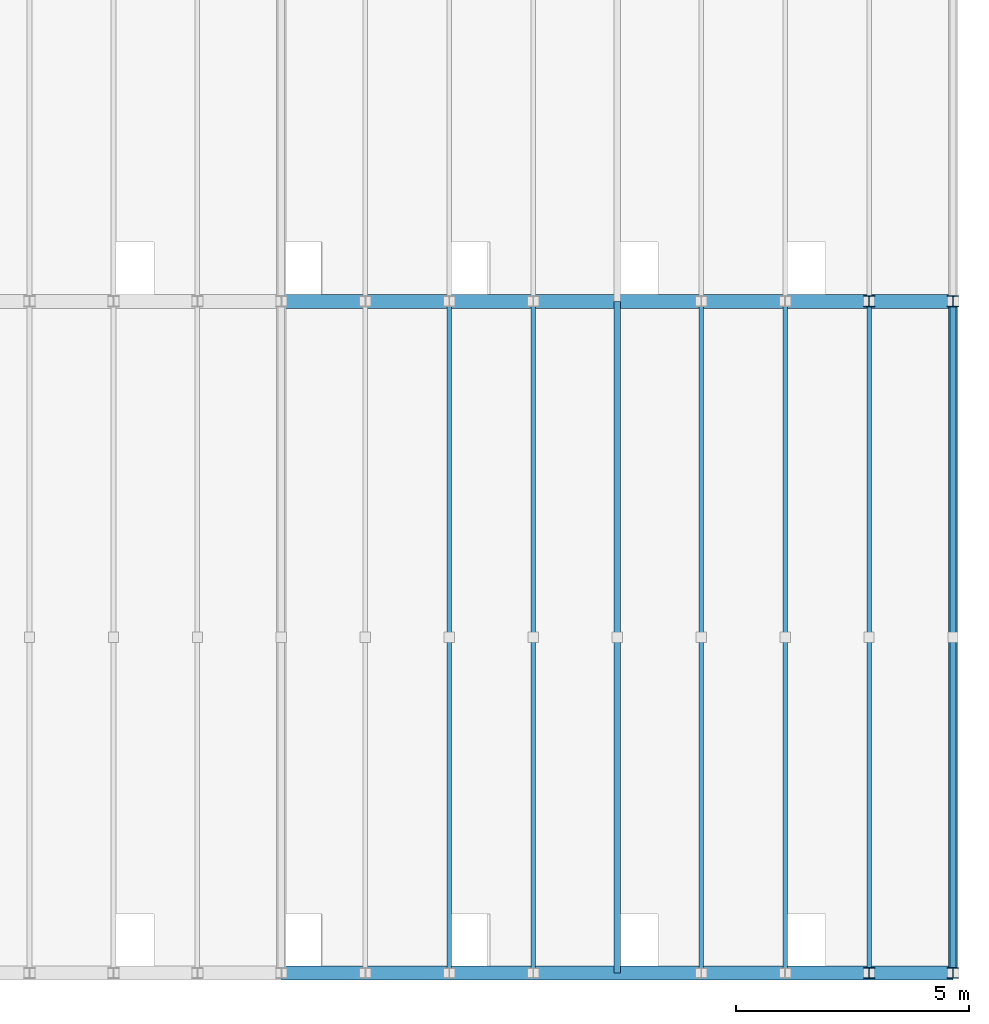
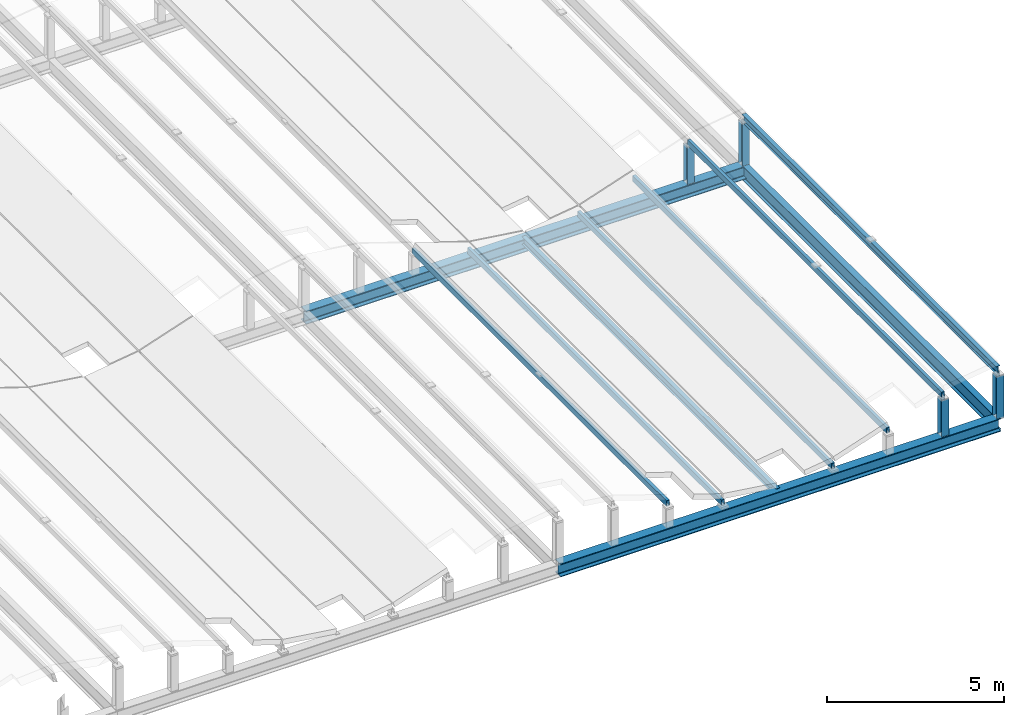
# One storey, part 30 of 83: 11 members, 3 beams.
"""IFC4 building model written with IfcOpenShell, lengths in metres."""

from ifc_helpers import new_model, si_unit, direction, frame, origin, origin_2d, place, context, subcontext, project, spatial, hollow_rectangle, i_section, extrude, material, material_profile, profile_set, type_object, element, save


model = new_model("IFC4")

# Units and contexts
model_context = context("Model", 3, precision=1e-05, world=origin(), true_north=direction((0.0, 1.0)))
body_context = subcontext(model_context, "Body", "Model", "MODEL_VIEW")
ifc_project = project(units=[si_unit("LENGTHUNIT", "METRE"), si_unit("AREAUNIT", "SQUARE_METRE"), si_unit("VOLUMEUNIT", "CUBIC_METRE"), si_unit("PLANEANGLEUNIT", "RADIAN"), si_unit("MASSUNIT", "GRAM", prefix="KILO")], contexts=[model_context])

# Site, building, storey
site_placement = place(None, origin())
site = spatial("IfcSite", under=ifc_project, at=site_placement, CompositionType="ELEMENT")
building_placement = place(site_placement, origin())
building = spatial("IfcBuilding", under=site, at=building_placement, Name="Leyfeld Transit Interchange", CompositionType="ELEMENT")
storey_placement = place(building_placement, frame((0.0, 0.0, 5.39990234375)))
storey = spatial("IfcBuildingStorey", under=building, at=storey_placement, Name="L01", CompositionType="ELEMENT", Elevation=5.39990234375)

# Beams
ifc_material = material(Name="Steel S355J2", Category="steel")
ifc_material_profile_1 = material_profile(ifc_material, i_section(OverallWidth=0.300048828125, OverallDepth=0.449951171875, WebThickness=0.013916015625, FlangeThickness=0.02587890625, FilletRadius=0.027099609375, at=origin_2d()), Name="HEB 450")
ifc_profile_set_1 = profile_set([ifc_material_profile_1], Name="Steel S355J2")
beam_type_1 = type_object("IfcBeamType", Name="BM-STL-HEB450", PredefinedType="JOIST", material=ifc_profile_set_1)
for number, where, z_axis, x_axis, name in (
    (1, (172.800048828125, 0.0, 0.675048828125), (1.0, 0.0, 0.0), (0.0, 1.0, 0.0), "Bus Canopy Longitudinal Girder R1 B6"),
    (2, (172.800048828125, 14.39990234375, 0.675048828125), (1.0, 0.0, 0.0), (0.0, 1.0, 0.0), "Bus Canopy Longitudinal Girder R2 B6"),
):
    element("IfcBeam", number, at=place(storey_placement, frame(where, z_axis=z_axis, x_axis=x_axis)), inside=storey, type_object=beam_type_1, Name=name, PredefinedType="JOIST", context=body_context, shape_type="SweptSolid", body=[
        extrude(i_section(OverallWidth=0.300048828125, OverallDepth=0.449951171875, WebThickness=0.013916015625, FlangeThickness=0.02587890625, FilletRadius=0.027099609375, at=origin_2d()), origin(), (0.0, 0.0, 1.0), 14.39990234375),
    ])
ifc_material_profile_2 = material_profile(ifc_material, i_section(OverallWidth=0.199951171875, OverallDepth=0.5, WebThickness=0.01025390625, FlangeThickness=0.01611328125, FilletRadius=0.02099609375, at=origin_2d()), Name="IPE 500")
ifc_profile_set_2 = profile_set([ifc_material_profile_2], Name="Steel S355J2")
beam_type_2 = type_object("IfcBeamType", Name="BM-STL-IPE500", PredefinedType="BEAM", material=ifc_profile_set_2)
beam_placement = place(storey_placement, frame((187.199951171875, 0.0, 0.650146484375), z_axis=(0.0, 1.0, 0.0), x_axis=(-1.0, 0.0, 0.0)))
element("IfcBeam", 3, at=beam_placement, inside=storey, type_object=beam_type_2, Name="Bus Canopy Transverse Portal Girder B7 R1", PredefinedType="BEAM", context=body_context, shape_type="SweptSolid", body=[
    extrude(i_section(OverallWidth=0.199951171875, OverallDepth=0.5, WebThickness=0.01025390625, FlangeThickness=0.01611328125, FilletRadius=0.02099609375, at=origin_2d()), origin(), (0.0, 0.0, 1.0), 14.39990234375),
])

# Members
ifc_material_profile_3 = material_profile(ifc_material, i_section(OverallWidth=0.239990234375, OverallDepth=0.22998046875, WebThickness=0.007568359375, FlangeThickness=0.011962890625, FilletRadius=0.02099609375, at=origin_2d()), Name="HEA 240")
ifc_profile_set_3 = profile_set([ifc_material_profile_3], Name="Steel S355J2")
member_type_1 = type_object("IfcMemberType", Name="MEM-CHD-HEA240", PredefinedType="CHORD", material=ifc_profile_set_3)
member_1_placement = place(storey_placement, frame((185.39990234375, 0.0, 0.860107421875), z_axis=(0.0, 0.0, 1.0), x_axis=(1.0, 0.0, 0.0)))
element("IfcMember", 4, at=member_1_placement, inside=storey, type_object=member_type_1, Name="Wave Canopy Riser Post 307", PredefinedType="CHORD", context=body_context, shape_type="SweptSolid", body=[
    extrude(i_section(OverallWidth=0.239990234375, OverallDepth=0.22998046875, WebThickness=0.007568359375, FlangeThickness=0.011962890625, FilletRadius=0.02099609375, at=origin_2d()), origin(), (0.0, 0.0, 1.0), 1.2998046875),
])
member_2_placement = place(storey_placement, frame((185.39990234375, 14.39990234375, 0.860107421875), z_axis=(0.0, 0.0, 1.0), x_axis=(1.0, 0.0, 0.0)))
element("IfcMember", 5, at=member_2_placement, inside=storey, type_object=member_type_1, Name="Wave Canopy Riser Post 309", PredefinedType="CHORD", context=body_context, shape_type="SweptSolid", body=[
    extrude(i_section(OverallWidth=0.239990234375, OverallDepth=0.22998046875, WebThickness=0.007568359375, FlangeThickness=0.011962890625, FilletRadius=0.02099609375, at=origin_2d()), origin(), (0.0, 0.0, 1.0), 1.3154296875),
])
member_3_placement = place(storey_placement, frame((187.199951171875, 0.0, 0.860107421875), z_axis=(0.0, 0.0, 1.0), x_axis=(1.0, 0.0, 0.0)))
element("IfcMember", 6, at=member_3_placement, inside=storey, type_object=member_type_1, Name="Wave Canopy Riser Post 314", PredefinedType="CHORD", context=body_context, shape_type="SweptSolid", body=[
    extrude(i_section(OverallWidth=0.239990234375, OverallDepth=0.22998046875, WebThickness=0.007568359375, FlangeThickness=0.011962890625, FilletRadius=0.02099609375, at=origin_2d()), origin(), (0.0, 0.0, 1.0), 1.488037109375),
])
member_4_placement = place(storey_placement, frame((187.199951171875, 14.39990234375, 0.860107421875), z_axis=(0.0, 0.0, 1.0), x_axis=(1.0, 0.0, 0.0)))
element("IfcMember", 7, at=member_4_placement, inside=storey, type_object=member_type_1, Name="Wave Canopy Riser Post 316", PredefinedType="CHORD", context=body_context, shape_type="SweptSolid", body=[
    extrude(i_section(OverallWidth=0.239990234375, OverallDepth=0.22998046875, WebThickness=0.007568359375, FlangeThickness=0.011962890625, FilletRadius=0.02099609375, at=origin_2d()), origin(), (0.0, 0.0, 1.0), 1.503173828125),
])
ifc_material_profile_4 = material_profile(ifc_material, i_section(OverallWidth=0.135009765625, OverallDepth=0.27001953125, WebThickness=0.006591796875, FlangeThickness=0.01025390625, FilletRadius=0.014892578125, at=origin_2d()), Name="IPE 270")
ifc_profile_set_4 = profile_set([ifc_material_profile_4], Name="Steel S355J2")
member_type_2 = type_object("IfcMemberType", Name="MEM-PUR-IPE270", PredefinedType="PURLIN", material=ifc_profile_set_4)
for number, where, z_axis, x_axis, name in (
    (8, (180.0, 0.0, 0.777587890625), (0.0, 1.0, 0.0), (-1.0, 0.0, 0.0), "Bus Canopy Purlin 289"),
    (9, (187.199951171875, 0.0, 2.483154296875), (0.0, 1.0, 0.0), (-1.0, 0.0, 0.0), "Bus Canopy Purlin 313"),
):
    element("IfcMember", number, at=place(storey_placement, frame(where, z_axis=z_axis, x_axis=x_axis)), inside=storey, type_object=member_type_2, Name=name, PredefinedType="PURLIN", context=body_context, shape_type="SweptSolid", body=[
        extrude(i_section(OverallWidth=0.135009765625, OverallDepth=0.27001953125, WebThickness=0.006591796875, FlangeThickness=0.01025390625, FilletRadius=0.014892578125, at=origin_2d()), origin(), (0.0, 0.0, 1.0), 14.39990234375),
    ])
ifc_material_profile_5 = material_profile(ifc_material, hollow_rectangle(XDim=0.10009765625, YDim=0.199951171875, WallThickness=0.008056640625, at=origin_2d()), Name="RHS 200x100x8")
ifc_profile_set_5 = profile_set([ifc_material_profile_5], Name="Steel S355J2")
member_type_3 = type_object("IfcMemberType", Name="MEM-PUR-RHS200", PredefinedType="PURLIN", material=ifc_profile_set_5)
for number, where, z_axis, x_axis, name in (
    (10, (176.39990234375, 0.0, 1.656494140625), (0.0, 1.0, 0.0), (-1.0, 0.0, 0.0), "Bus Canopy Purlin 275"),
    (11, (178.199951171875, 0.0, 1.0546875), (0.0, 1.0, 0.0), (-1.0, 0.0, 0.0), "Bus Canopy Purlin 282"),
    (12, (181.800048828125, 0.0, 1.0546875), (0.0, 1.0, 0.0), (-1.0, 0.0, 0.0), "Bus Canopy Purlin 292"),
    (13, (183.60009765625, 0.0, 1.656494140625), (0.0, 1.0, 0.0), (-1.0, 0.0, 0.0), "Bus Canopy Purlin 299"),
    (14, (185.39990234375, 0.0, 2.259765625), (0.0, 1.0, 0.0), (-1.0, 0.0, 0.0), "Bus Canopy Purlin 306"),
):
    element("IfcMember", number, at=place(storey_placement, frame(where, z_axis=z_axis, x_axis=x_axis)), inside=storey, type_object=member_type_3, Name=name, PredefinedType="PURLIN", context=body_context, shape_type="SweptSolid", body=[
        extrude(hollow_rectangle(XDim=0.10009765625, YDim=0.199951171875, WallThickness=0.008056640625, at=origin_2d()), origin(), (0.0, 0.0, 1.0), 14.39990234375),
    ])

save(model, "model.ifc")
